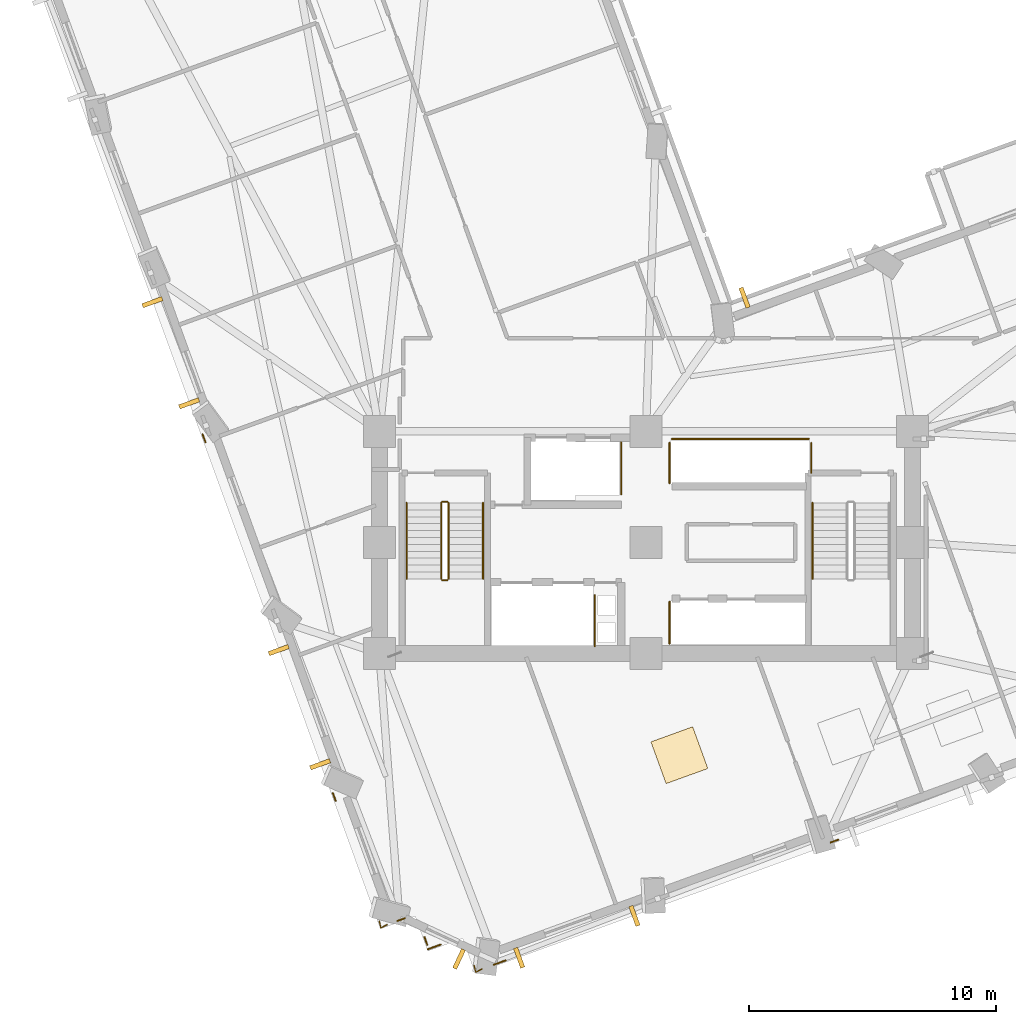
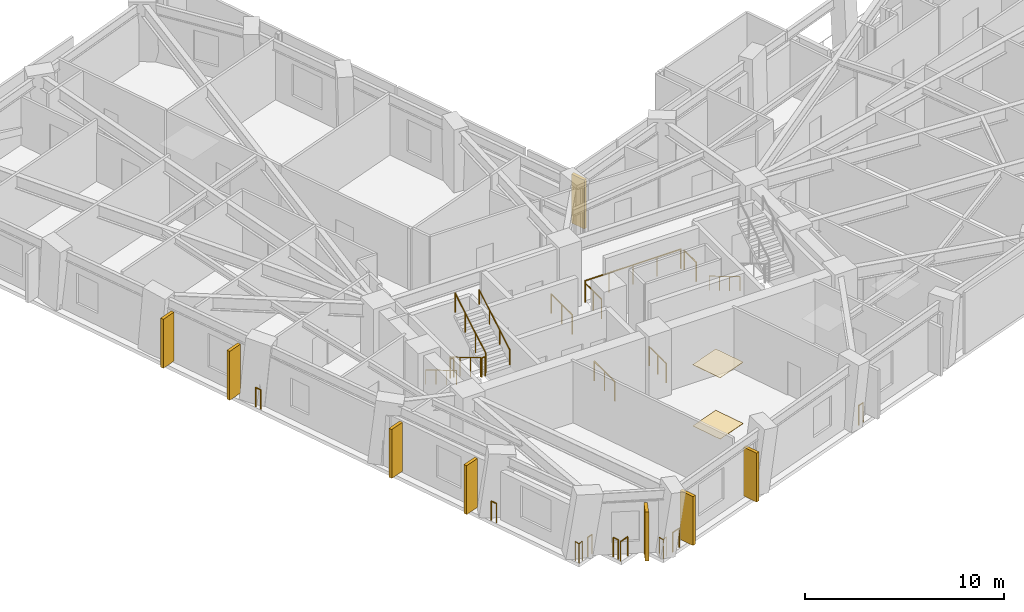
# One storey, part 14 of 17: 22 railings, 8 shading devices, 2 coverings.
"""IFC4 building model written with IfcOpenShell, lengths in metres."""

from ifc_helpers import new_model, si_unit, direction, frame, origin, origin_2d, place, context, subcontext, project, spatial, rectangle, circle, extrude, material, layer, layer_set, type_object, element, save


model = new_model("IFC4")

# Units and contexts
model_context = context("Model", 3, precision=1e-05, world=origin(), true_north=direction((0.0, 1.0)))
body_context = subcontext(model_context, "Body", "Model", "MODEL_VIEW")
ifc_project = project(units=[si_unit("LENGTHUNIT", "METRE"), si_unit("AREAUNIT", "SQUARE_METRE"), si_unit("VOLUMEUNIT", "CUBIC_METRE"), si_unit("PLANEANGLEUNIT", "RADIAN"), si_unit("MASSUNIT", "GRAM", prefix="KILO")], contexts=[model_context])

# Site, building, storey
site_placement = place(None, origin())
site = spatial("IfcSite", under=ifc_project, at=site_placement, CompositionType="ELEMENT")
building_placement = place(site_placement, origin())
building = spatial("IfcBuilding", under=site, at=building_placement, Name="Gaonmaruhae Medical Tower", CompositionType="ELEMENT")
storey_placement = place(building_placement, frame((0.0, 0.0, 108.39990234375)))
storey = spatial("IfcBuildingStorey", under=building, at=storey_placement, Name="L25", CompositionType="ELEMENT", Elevation=108.39990234375)

# Coverings
ifc_material_1 = material(Name="Acoustic mineral ceiling tile", Category="finish")
ifc_layer_1 = layer(ifc_material_1, 0.02490234375)
ifc_layer_set_1 = layer_set([ifc_layer_1], Name="Acoustic mineral ceiling tile")
covering_type_1 = type_object("IfcCoveringType", Name="CLG-01 Antimicrobial Acoustic Mineral Ceiling", PredefinedType="CEILING", material=ifc_layer_set_1)
covering_1_placement = place(storey_placement, frame((26.1552734375, 3.677490234375, 3.755126953125), z_axis=(0.0, 0.0, 1.0), x_axis=(0.93999073182, 0.341199976689, 0.0)))
element("IfcCovering", 1, at=covering_1_placement, inside=storey, type_object=covering_type_1, Name="L25 Clinical Room Acoustic Ceiling 2", PredefinedType="CEILING", context=body_context, shape_type="SweptSolid", body=[
    extrude(rectangle(XDim=1.800048828125, YDim=1.800048828125, at=origin_2d()), origin(), (0.0, 0.0, 1.0), 0.02490234375),
])
ifc_material_2 = material(Name="Seamless clinical vinyl flooring", Category="finish")
ifc_layer_2 = layer(ifc_material_2, 0.014892578125)
ifc_layer_set_2 = layer_set([ifc_layer_2], Name="Seamless clinical vinyl flooring")
covering_type_2 = type_object("IfcCoveringType", Name="FLR-01 Seamless Clinical Antistatic Vinyl Flooring", PredefinedType="FLOORING", material=ifc_layer_set_2)
covering_2_placement = place(storey_placement, frame((26.1552734375, 3.677490234375, 0.0), z_axis=(0.0, 0.0, 1.0), x_axis=(0.93999073182, 0.341199976689, 0.0)))
element("IfcCovering", 2, at=covering_2_placement, inside=storey, type_object=covering_type_2, Name="L25 Clinical Room Vinyl Flooring 2", PredefinedType="FLOORING", context=body_context, shape_type="SweptSolid", body=[
    extrude(rectangle(XDim=1.800048828125, YDim=1.800048828125, at=origin_2d()), origin(), (0.0, 0.0, 1.0), 0.014892578125),
])

# Railings
ifc_material_3 = material(Name="Stainless steel 316L and laminated safety glass", Category="steel")
ifc_layer_3 = layer(ifc_material_3, 0.080078125)
ifc_layer_set_3 = layer_set([ifc_layer_3], Name="Stainless steel 316L and laminated safety glass")
railing_type_1 = type_object("IfcRailingType", Name="GD-120 Outdoor Terrace Safety Glass & Steel Balustrade", PredefinedType="BALUSTRADE", material=ifc_layer_set_3)
railing_1_placement = place(storey_placement, frame((32.599365234375, 0.255615234375, 0.0)))
element("IfcRailing", 3, at=railing_1_placement, inside=storey, type_object=railing_type_1, Name="L25 Perimeter Slab Edge Safety Balustrade 03", PredefinedType="BALUSTRADE", context=body_context, shape_type="SweptSolid", body=[
    extrude(circle(Radius=0.02392578125, at=origin_2d()), frame((0.0, 0.0, 1.17578125), z_axis=(-0.940087084242, -0.340934413107, 0.0), x_axis=(0.340934413107, -0.940087084242, 0.0)), (0.0, 0.0, 1.0), 0.33935546875),
    extrude(circle(Radius=0.02099609375, at=origin_2d()), origin(), (0.0, 0.0, 1.0), 1.15185546875),
    extrude(circle(Radius=0.02099609375, at=origin_2d()), frame((-0.319091796875, -0.11572265625, 0.0)), (0.0, 0.0, 1.0), 1.15185546875),
])
railing_2_placement = place(storey_placement, frame((19.111083984375, -4.640380859375, 0.0)))
element("IfcRailing", 4, at=railing_2_placement, inside=storey, type_object=railing_type_1, Name="L25 Perimeter Slab Edge Safety Balustrade 04", PredefinedType="BALUSTRADE", context=body_context, shape_type="SweptSolid", body=[
    extrude(circle(Radius=0.02392578125, at=origin_2d()), frame((0.0, 0.0, 1.17578125), z_axis=(-0.939971951888, -0.341251710125, 0.0), x_axis=(0.341251710125, -0.939971951888, 0.0)), (0.0, 0.0, 1.0), 0.518798828125),
    extrude(circle(Radius=0.02099609375, at=origin_2d()), origin(), (0.0, 0.0, 1.0), 1.15185546875),
    extrude(circle(Radius=0.02099609375, at=origin_2d()), frame((-0.487548828125, -0.177001953125, 0.0)), (0.0, 0.0, 1.0), 1.15185546875),
])
railing_3_placement = place(storey_placement, frame((16.47900390625, -4.0, 0.0)))
element("IfcRailing", 5, at=railing_3_placement, inside=storey, type_object=railing_type_1, Name="L25 Perimeter Slab Edge Safety Balustrade 05", PredefinedType="BALUSTRADE", context=body_context, shape_type="SweptSolid", body=[
    extrude(circle(Radius=0.02392578125, at=origin_2d()), frame((0.0, 0.0, 1.17578125), z_axis=(-0.940073183307, -0.340972740884, 0.0), x_axis=(0.340972740884, -0.940073183307, 0.0)), (0.0, 0.0, 1.0), 0.559814453125),
    extrude(circle(Radius=0.02099609375, at=origin_2d()), origin(), (0.0, 0.0, 1.0), 1.15185546875),
    extrude(circle(Radius=0.02099609375, at=origin_2d()), frame((-0.5263671875, -0.19091796875, 0.0)), (0.0, 0.0, 1.0), 1.15185546875),
])
railing_4_placement = place(storey_placement, frame((15.937255859375, -4.001708984375, 0.0)))
element("IfcRailing", 6, at=railing_4_placement, inside=storey, type_object=railing_type_1, Name="L25 Perimeter Slab Edge Safety Balustrade 06", PredefinedType="BALUSTRADE", context=body_context, shape_type="SweptSolid", body=[
    extrude(circle(Radius=0.02392578125, at=origin_2d()), frame((0.0, 0.0, 1.17578125), z_axis=(-0.341443098861, 0.939902447193, 0.0), x_axis=(-0.939902447193, -0.341443098861, 0.0)), (0.0, 0.0, 1.0), 0.32666015625),
    extrude(circle(Radius=0.02099609375, at=origin_2d()), origin(), (0.0, 0.0, 1.0), 1.15185546875),
    extrude(circle(Radius=0.02099609375, at=origin_2d()), frame((-0.111572265625, 0.30712890625, 0.0)), (0.0, 0.0, 1.0), 1.15185546875),
])
railing_5_placement = place(storey_placement, frame((15.02734375, -2.93115234375, 0.0)))
element("IfcRailing", 7, at=railing_5_placement, inside=storey, type_object=railing_type_1, Name="L25 Perimeter Slab Edge Safety Balustrade 07", PredefinedType="BALUSTRADE", context=body_context, shape_type="SweptSolid", body=[
    extrude(circle(Radius=0.02392578125, at=origin_2d()), frame((0.0, 0.0, 1.17578125), z_axis=(-0.940142051094, -0.340782810254, 0.0), x_axis=(0.340782810254, -0.940142051094, 0.0)), (0.0, 0.0, 1.0), 0.32666015625),
    extrude(circle(Radius=0.02099609375, at=origin_2d()), origin(), (0.0, 0.0, 1.0), 1.15185546875),
    extrude(circle(Radius=0.02099609375, at=origin_2d()), frame((-0.30712890625, -0.111328125, 0.0)), (0.0, 0.0, 1.0), 1.15185546875),
])
railing_6_placement = place(storey_placement, frame((12.22705078125, 1.823486328125, 0.0)))
element("IfcRailing", 8, at=railing_6_placement, inside=storey, type_object=railing_type_1, Name="L25 Perimeter Slab Edge Safety Balustrade 08", PredefinedType="BALUSTRADE", context=body_context, shape_type="SweptSolid", body=[
    extrude(circle(Radius=0.02392578125, at=origin_2d()), frame((0.0, 0.0, 1.17578125), z_axis=(-0.341108730072, 0.940023847713, 0.0), x_axis=(-0.940023847713, -0.341108730072, 0.0)), (0.0, 0.0, 1.0), 0.340087890625),
    extrude(circle(Radius=0.02099609375, at=origin_2d()), origin(), (0.0, 0.0, 1.0), 1.15185546875),
    extrude(circle(Radius=0.02099609375, at=origin_2d()), frame((-0.115966796875, 0.319580078125, 0.0)), (0.0, 0.0, 1.0), 1.15185546875),
])
railing_7_placement = place(storey_placement, frame((6.9501953125, 16.361083984375, 0.0)))
element("IfcRailing", 9, at=railing_7_placement, inside=storey, type_object=railing_type_1, Name="L25 Perimeter Slab Edge Safety Balustrade 09", PredefinedType="BALUSTRADE", context=body_context, shape_type="SweptSolid", body=[
    extrude(circle(Radius=0.02392578125, at=origin_2d()), frame((0.0, 0.0, 1.17578125), z_axis=(-0.341339141955, 0.939940205635, 0.0), x_axis=(-0.939940205635, -0.341339141955, 0.0)), (0.0, 0.0, 1.0), 0.33984375),
    extrude(circle(Radius=0.02099609375, at=origin_2d()), origin(), (0.0, 0.0, 1.0), 1.15185546875),
    extrude(circle(Radius=0.02099609375, at=origin_2d()), frame((-0.115966796875, 0.3193359375, 0.0)), (0.0, 0.0, 1.0), 1.15185546875),
])
railing_8_placement = place(storey_placement, frame((18.156494140625, -4.98681640625, 0.0)))
element("IfcRailing", 10, at=railing_8_placement, inside=storey, type_object=railing_type_1, Name="L25 Perimeter Corner Safety Balustrade 10", PredefinedType="BALUSTRADE", context=body_context, shape_type="SweptSolid", body=[
    extrude(circle(Radius=0.02392578125, at=origin_2d()), frame((0.0, 0.0, 1.17578125), z_axis=(-0.89134435758, -0.453326853617, 0.0), x_axis=(0.453326853617, -0.89134435758, 0.0)), (0.0, 0.0, 1.0), 0.287109375),
    extrude(circle(Radius=0.02392578125, at=origin_2d()), frame((-0.255859375, -0.130126953125, 1.17578125), z_axis=(-0.224486874149, 0.974477112782, 0.0), x_axis=(-0.974477112782, -0.224486874149, 0.0)), (0.0, 0.0, 1.0), 0.287109375),
    extrude(circle(Radius=0.02099609375, at=origin_2d()), origin(), (0.0, 0.0, 1.0), 1.15185546875),
    extrude(circle(Radius=0.02099609375, at=origin_2d()), frame((-0.255859375, -0.130126953125, 0.0)), (0.0, 0.0, 1.0), 1.15185546875),
    extrude(circle(Radius=0.02099609375, at=origin_2d()), frame((-0.3203125, 0.149658203125, 0.0)), (0.0, 0.0, 1.0), 1.15185546875),
])
railing_9_placement = place(storey_placement, frame((14.31298828125, -3.1904296875, 0.0)))
element("IfcRailing", 11, at=railing_9_placement, inside=storey, type_object=railing_type_1, Name="L25 Perimeter Corner Safety Balustrade 11", PredefinedType="BALUSTRADE", context=body_context, shape_type="SweptSolid", body=[
    extrude(circle(Radius=0.02392578125, at=origin_2d()), frame((0.0, 0.0, 1.17578125), z_axis=(-0.891518945204, -0.452983410671, 0.0), x_axis=(0.452983410671, -0.891518945204, 0.0)), (0.0, 0.0, 1.0), 0.287353515625),
    extrude(circle(Radius=0.02392578125, at=origin_2d()), frame((-0.256103515625, -0.130126953125, 1.17578125), z_axis=(-0.223679165879, 0.974662829266, 0.0), x_axis=(-0.974662829266, -0.223679165879, 0.0)), (0.0, 0.0, 1.0), 0.287109375),
    extrude(circle(Radius=0.02099609375, at=origin_2d()), origin(), (0.0, 0.0, 1.0), 1.15185546875),
    extrude(circle(Radius=0.02099609375, at=origin_2d()), frame((-0.256103515625, -0.130126953125, 0.0)), (0.0, 0.0, 1.0), 1.15185546875),
    extrude(circle(Radius=0.02099609375, at=origin_2d()), frame((-0.3203125, 0.149658203125, 0.0)), (0.0, 0.0, 1.0), 1.15185546875),
])
ifc_material_4 = material(Name="Stainless steel 304 handrail", Category="steel")
railing_type_2 = type_object("IfcRailingType", Name="HR-092 Continuous Stainless Steel Stair Handrail", PredefinedType="HANDRAIL", material=ifc_material_4)
railing_10_placement = place(storey_placement, frame((15.10009765625, 13.89990234375, 0.166748046875)))
element("IfcRailing", 12, at=railing_10_placement, inside=storey, type_object=railing_type_2, Name="L25 ST-01 stair handrail 1", PredefinedType="HANDRAIL", context=body_context, shape_type="SweptSolid", body=[
    extrude(circle(Radius=0.02392578125, at=origin_2d()), frame((0.0, 0.0, 0.8759765625), z_axis=(0.0, -0.859290745958, 0.51148745235), x_axis=(1.0, 0.0, 0.0)), (0.0, 0.0, 1.0), 3.584228515625),
    extrude(circle(Radius=0.02099609375, at=origin_2d()), origin(), (0.0, 0.0, 1.0), 0.851806640625),
    extrude(circle(Radius=0.02099609375, at=origin_2d()), frame((0.0, -1.026611328125, 0.611083984375)), (0.0, 0.0, 1.0), 0.851806640625),
    extrude(circle(Radius=0.02099609375, at=origin_2d()), frame((0.0, -2.05322265625, 1.22216796875)), (0.0, 0.0, 1.0), 0.851806640625),
    extrude(circle(Radius=0.02099609375, at=origin_2d()), frame((0.0, -3.079833984375, 1.833251953125)), (0.0, 0.0, 1.0), 0.851806640625),
])
railing_11_placement = place(storey_placement, frame((18.199951171875, 10.820068359375, 2.166748046875)))
element("IfcRailing", 13, at=railing_11_placement, inside=storey, type_object=railing_type_2, Name="L25 ST-01 stair handrail 2", PredefinedType="HANDRAIL", context=body_context, shape_type="SweptSolid", body=[
    extrude(circle(Radius=0.02392578125, at=origin_2d()), frame((0.0, 0.0, 0.8759765625), z_axis=(0.0, 0.859290745958, 0.51148745235), x_axis=(-1.0, 0.0, 0.0)), (0.0, 0.0, 1.0), 3.584228515625),
    extrude(circle(Radius=0.02099609375, at=origin_2d()), origin(), (0.0, 0.0, 1.0), 0.851806640625),
    extrude(circle(Radius=0.02099609375, at=origin_2d()), frame((0.0, 1.026611328125, 0.611083984375)), (0.0, 0.0, 1.0), 0.851806640625),
    extrude(circle(Radius=0.02099609375, at=origin_2d()), frame((0.0, 2.05322265625, 1.22216796875)), (0.0, 0.0, 1.0), 0.851806640625),
    extrude(circle(Radius=0.02099609375, at=origin_2d()), frame((0.0, 3.079833984375, 1.833251953125)), (0.0, 0.0, 1.0), 0.851806640625),
])
railing_12_placement = place(storey_placement, frame((31.550048828125, 13.89990234375, 0.166748046875)))
element("IfcRailing", 14, at=railing_12_placement, inside=storey, type_object=railing_type_2, Name="L25 ST-02 stair handrail 1", PredefinedType="HANDRAIL", context=body_context, shape_type="SweptSolid", body=[
    extrude(circle(Radius=0.02392578125, at=origin_2d()), frame((0.0, 0.0, 0.8759765625), z_axis=(0.0, -0.859290745958, 0.51148745235), x_axis=(1.0, 0.0, 0.0)), (0.0, 0.0, 1.0), 3.584228515625),
    extrude(circle(Radius=0.02099609375, at=origin_2d()), origin(), (0.0, 0.0, 1.0), 0.851806640625),
    extrude(circle(Radius=0.02099609375, at=origin_2d()), frame((0.0, -1.026611328125, 0.611083984375)), (0.0, 0.0, 1.0), 0.851806640625),
    extrude(circle(Radius=0.02099609375, at=origin_2d()), frame((0.0, -2.05322265625, 1.22216796875)), (0.0, 0.0, 1.0), 0.851806640625),
    extrude(circle(Radius=0.02099609375, at=origin_2d()), frame((0.0, -3.079833984375, 1.833251953125)), (0.0, 0.0, 1.0), 0.851806640625),
])

# Shading devices
ifc_material_5 = material(Name="Pigmented coral precast concrete C45/55", Category="concrete")
shading_device_type = type_object("IfcShadingDeviceType", Name="SD-FIN1 Tower Vertical Coral Precast Shading Fin", PredefinedType="USERDEFINED", material=ifc_material_5)
for number, where, z_axis, x_axis, name in (
    (15, (24.3330078125, -2.835205078125, 0.08251953125), (0.0, 0.0, 1.0), (-0.93999073182, -0.341199976689, 0.0), "L25 Vertical Coral Precast Shading Fin S01"),
    (16, (19.661376953125, -4.531005859375, 0.08251953125), (0.0, 0.0, 1.0), (-0.93999073182, -0.341199976689, 0.0), "L25 Vertical Coral Precast Shading Fin S01B"),
    (17, (28.79638671875, 22.22119140625, 0.08251953125), (0.0, 0.0, 1.0), (0.93999073182, 0.341199976689, 0.0), "L25 Vertical Coral Precast Shading Fin EN03"),
    (18, (6.28759765625, 17.9375, 0.08251953125), (0.0, 0.0, 1.0), (-0.34121638257, 0.939984776614, 0.0), "L25 Vertical Coral Precast Shading Fin W03"),
    (19, (4.799072265625, 22.037841796875, 0.08251953125), (0.0, 0.0, 1.0), (-0.34121638257, 0.939984776614, 0.0), "L25 Vertical Coral Precast Shading Fin W03B"),
    (20, (11.597412109375, 3.30908203125, 0.08251953125), (0.0, 0.0, 1.0), (-0.341199976689, 0.93999073182, 0.0), "L25 Vertical Coral Precast Shading Fin W05"),
    (21, (9.91748046875, 7.937255859375, 0.08251953125), (0.0, 0.0, 1.0), (-0.341199976689, 0.93999073182, 0.0), "L25 Vertical Coral Precast Shading Fin W05B"),
    (22, (17.226318359375, -4.58251953125, 0.08251953125), (0.0, 0.0, 1.0), (-0.90593863798, 0.423409003465, 0.0), "L25 Vertical Coral Precast Shading Fin W07"),
):
    element("IfcShadingDevice", number, at=place(storey_placement, frame(where, z_axis=z_axis, x_axis=x_axis)), inside=storey, type_object=shading_device_type, Name=name, ObjectType="FIN", PredefinedType="USERDEFINED", context=body_context, shape_type="SweptSolid", body=[
        extrude(rectangle(XDim=0.179931640625, YDim=0.85009765625, at=origin_2d()), origin(), (0.0, 0.0, 1.0), 3.0),
    ])

# Railings
ifc_material_6 = material(Name="Stainless steel 304 balustrade", Category="steel")
railing_type_3 = type_object("IfcRailingType", Name="SG-112 Stair Well & Ramp Void Safety Balustrade", PredefinedType="BALUSTRADE", material=ifc_material_6)
railing_13_placement = place(storey_placement, frame((16.5, 13.89990234375, 0.166748046875)))
element("IfcRailing", 23, at=railing_13_placement, inside=storey, type_object=railing_type_3, Name="L25 ST-01 stair guard 1", PredefinedType="BALUSTRADE", context=body_context, shape_type="SweptSolid", body=[
    extrude(circle(Radius=0.02392578125, at=origin_2d()), frame((0.0, 0.0, 1.17578125), z_axis=(0.0, -0.859290745958, 0.51148745235), x_axis=(1.0, 0.0, 0.0)), (0.0, 0.0, 1.0), 3.584228515625),
    extrude(circle(Radius=0.02099609375, at=origin_2d()), origin(), (0.0, 0.0, 1.0), 1.15185546875),
    extrude(circle(Radius=0.02099609375, at=origin_2d()), frame((0.0, -1.026611328125, 0.611083984375)), (0.0, 0.0, 1.0), 1.15185546875),
    extrude(circle(Radius=0.02099609375, at=origin_2d()), frame((0.0, -2.05322265625, 1.22216796875)), (0.0, 0.0, 1.0), 1.15185546875),
    extrude(circle(Radius=0.02099609375, at=origin_2d()), frame((0.0, -3.079833984375, 1.833251953125)), (0.0, 0.0, 1.0), 1.15185546875),
])
railing_14_placement = place(storey_placement, frame((16.550048828125, 10.77001953125, 2.0)))
element("IfcRailing", 24, at=railing_14_placement, inside=storey, type_object=railing_type_3, Name="L25 ST-01 stair guard 2", PredefinedType="BALUSTRADE", context=body_context, shape_type="SweptSolid", body=[
    extrude(circle(Radius=0.02392578125, at=origin_2d()), frame((0.0, 0.0, 1.17578125), z_axis=(1.0, 0.0, 0.0), x_axis=(0.0, 1.0, 0.0)), (0.0, 0.0, 1.0), 0.199951171875),
    extrude(circle(Radius=0.02099609375, at=origin_2d()), origin(), (0.0, 0.0, 1.0), 1.15185546875),
    extrude(circle(Radius=0.02099609375, at=origin_2d()), frame((0.199951171875, 0.0, 0.0)), (0.0, 0.0, 1.0), 1.15185546875),
])
railing_15_placement = place(storey_placement, frame((16.800048828125, 10.820068359375, 2.166748046875)))
element("IfcRailing", 25, at=railing_15_placement, inside=storey, type_object=railing_type_3, Name="L25 ST-01 stair guard 3", PredefinedType="BALUSTRADE", context=body_context, shape_type="SweptSolid", body=[
    extrude(circle(Radius=0.02392578125, at=origin_2d()), frame((0.0, 0.0, 1.17578125), z_axis=(0.0, 0.859290745958, 0.51148745235), x_axis=(-1.0, 0.0, 0.0)), (0.0, 0.0, 1.0), 3.584228515625),
    extrude(circle(Radius=0.02099609375, at=origin_2d()), origin(), (0.0, 0.0, 1.0), 1.15185546875),
    extrude(circle(Radius=0.02099609375, at=origin_2d()), frame((0.0, 1.026611328125, 0.611083984375)), (0.0, 0.0, 1.0), 1.15185546875),
    extrude(circle(Radius=0.02099609375, at=origin_2d()), frame((0.0, 2.05322265625, 1.22216796875)), (0.0, 0.0, 1.0), 1.15185546875),
    extrude(circle(Radius=0.02099609375, at=origin_2d()), frame((0.0, 3.079833984375, 1.833251953125)), (0.0, 0.0, 1.0), 1.15185546875),
])
railing_16_placement = place(storey_placement, frame((16.550048828125, 13.949951171875, 0.0)))
element("IfcRailing", 26, at=railing_16_placement, inside=storey, type_object=railing_type_3, Name="L25 ST-01 stair guard 4", PredefinedType="BALUSTRADE", context=body_context, shape_type="SweptSolid", body=[
    extrude(circle(Radius=0.02392578125, at=origin_2d()), frame((0.0, 0.0, 1.17578125), z_axis=(1.0, 0.0, 0.0), x_axis=(0.0, 1.0, 0.0)), (0.0, 0.0, 1.0), 0.199951171875),
    extrude(circle(Radius=0.02099609375, at=origin_2d()), origin(), (0.0, 0.0, 1.0), 1.15185546875),
    extrude(circle(Radius=0.02099609375, at=origin_2d()), frame((0.199951171875, 0.0, 0.0)), (0.0, 0.0, 1.0), 1.15185546875),
])
railing_17_placement = place(storey_placement, frame((25.7548828125, 8.195068359375, 0.0)))
element("IfcRailing", 27, at=railing_17_placement, inside=storey, type_object=railing_type_3, Name="L25 Shaft Edge Safety Guard 13", PredefinedType="BALUSTRADE", context=body_context, shape_type="SweptSolid", body=[
    extrude(circle(Radius=0.02392578125, at=origin_2d()), frame((0.0, 0.0, 1.17578125), z_axis=(0.0, 1.0, 0.0), x_axis=(-1.0, 0.0, 0.0)), (0.0, 0.0, 1.0), 1.7099609375),
    extrude(circle(Radius=0.02099609375, at=origin_2d()), origin(), (0.0, 0.0, 1.0), 1.15185546875),
    extrude(circle(Radius=0.02099609375, at=origin_2d()), frame((0.0, 0.85498046875, 0.0)), (0.0, 0.0, 1.0), 1.15185546875),
    extrude(circle(Radius=0.02099609375, at=origin_2d()), frame((0.0, 1.7099609375, 0.0)), (0.0, 0.0, 1.0), 1.15185546875),
])
railing_18_placement = place(storey_placement, frame((22.719970703125, 10.159912109375, 0.0)))
element("IfcRailing", 28, at=railing_18_placement, inside=storey, type_object=railing_type_3, Name="L25 Shaft Edge Safety Guard 14", PredefinedType="BALUSTRADE", context=body_context, shape_type="SweptSolid", body=[
    extrude(circle(Radius=0.02392578125, at=origin_2d()), frame((0.0, 0.0, 1.17578125), z_axis=(0.0, -1.0, 0.0), x_axis=(1.0, 0.0, 0.0)), (0.0, 0.0, 1.0), 2.06494140625),
    extrude(circle(Radius=0.02099609375, at=origin_2d()), origin(), (0.0, 0.0, 1.0), 1.15185546875),
    extrude(circle(Radius=0.02099609375, at=origin_2d()), frame((0.0, -1.032470703125, 0.0)), (0.0, 0.0, 1.0), 1.15185546875),
    extrude(circle(Radius=0.02099609375, at=origin_2d()), frame((0.0, -2.06494140625, 0.0)), (0.0, 0.0, 1.0), 1.15185546875),
])
railing_19_placement = place(storey_placement, frame((23.794921875, 16.35498046875, 0.0)))
element("IfcRailing", 29, at=railing_19_placement, inside=storey, type_object=railing_type_3, Name="L25 Shaft Edge Safety Guard 15", PredefinedType="BALUSTRADE", context=body_context, shape_type="SweptSolid", body=[
    extrude(circle(Radius=0.02392578125, at=origin_2d()), frame((0.0, 0.0, 1.17578125), z_axis=(0.0, -1.0, 0.0), x_axis=(1.0, 0.0, 0.0)), (0.0, 0.0, 1.0), 2.10986328125),
    extrude(circle(Radius=0.02099609375, at=origin_2d()), origin(), (0.0, 0.0, 1.0), 1.15185546875),
    extrude(circle(Radius=0.02099609375, at=origin_2d()), frame((0.0, -1.054931640625, 0.0)), (0.0, 0.0, 1.0), 1.15185546875),
    extrude(circle(Radius=0.02099609375, at=origin_2d()), frame((0.0, -2.10986328125, 0.0)), (0.0, 0.0, 1.0), 1.15185546875),
])
railing_20_placement = place(storey_placement, frame((25.844970703125, 16.4951171875, 0.0)))
element("IfcRailing", 30, at=railing_20_placement, inside=storey, type_object=railing_type_3, Name="L25 Shaft Edge Safety Guard 16", PredefinedType="BALUSTRADE", context=body_context, shape_type="SweptSolid", body=[
    extrude(circle(Radius=0.02392578125, at=origin_2d()), frame((0.0, 0.0, 1.17578125), z_axis=(1.0, 0.0, 0.0), x_axis=(0.0, 1.0, 0.0)), (0.0, 0.0, 1.0), 5.56005859375),
    extrude(circle(Radius=0.02099609375, at=origin_2d()), origin(), (0.0, 0.0, 1.0), 1.15185546875),
    extrude(circle(Radius=0.02099609375, at=origin_2d()), frame((1.39013671875, 0.0, 0.0)), (0.0, 0.0, 1.0), 1.15185546875),
    extrude(circle(Radius=0.02099609375, at=origin_2d()), frame((2.780029296875, 0.0, 0.0)), (0.0, 0.0, 1.0), 1.15185546875),
    extrude(circle(Radius=0.02099609375, at=origin_2d()), frame((4.169921875, 0.0, 0.0)), (0.0, 0.0, 1.0), 1.15185546875),
    extrude(circle(Radius=0.02099609375, at=origin_2d()), frame((5.56005859375, 0.0, 0.0)), (0.0, 0.0, 1.0), 1.15185546875),
])
railing_21_placement = place(storey_placement, frame((31.4951171875, 16.330078125, 0.0)))
element("IfcRailing", 31, at=railing_21_placement, inside=storey, type_object=railing_type_3, Name="L25 Shaft Edge Safety Guard 17", PredefinedType="BALUSTRADE", context=body_context, shape_type="SweptSolid", body=[
    extrude(circle(Radius=0.02392578125, at=origin_2d()), frame((0.0, 0.0, 1.17578125), z_axis=(0.0, -1.0, 0.0), x_axis=(1.0, 0.0, 0.0)), (0.0, 0.0, 1.0), 1.2099609375),
    extrude(circle(Radius=0.02099609375, at=origin_2d()), origin(), (0.0, 0.0, 1.0), 1.15185546875),
    extrude(circle(Radius=0.02099609375, at=origin_2d()), frame((0.0, -1.2099609375, 0.0)), (0.0, 0.0, 1.0), 1.15185546875),
])
railing_22_placement = place(storey_placement, frame((25.7548828125, 14.695068359375, 0.0)))
element("IfcRailing", 32, at=railing_22_placement, inside=storey, type_object=railing_type_3, Name="L25 Shaft Edge Safety Guard 18", PredefinedType="BALUSTRADE", context=body_context, shape_type="SweptSolid", body=[
    extrude(circle(Radius=0.02392578125, at=origin_2d()), frame((0.0, 0.0, 1.17578125), z_axis=(0.0, 1.0, 0.0), x_axis=(-1.0, 0.0, 0.0)), (0.0, 0.0, 1.0), 1.635009765625),
    extrude(circle(Radius=0.02099609375, at=origin_2d()), origin(), (0.0, 0.0, 1.0), 1.15185546875),
    extrude(circle(Radius=0.02099609375, at=origin_2d()), frame((0.0, 0.8173828125, 0.0)), (0.0, 0.0, 1.0), 1.15185546875),
    extrude(circle(Radius=0.02099609375, at=origin_2d()), frame((0.0, 1.635009765625, 0.0)), (0.0, 0.0, 1.0), 1.15185546875),
])

save(model, "model.ifc")
